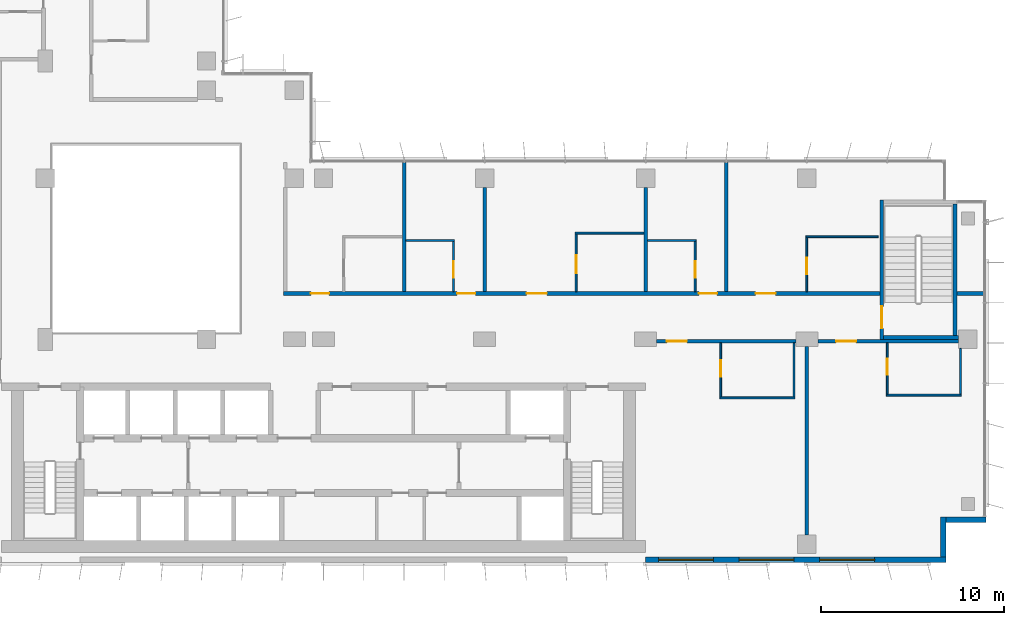
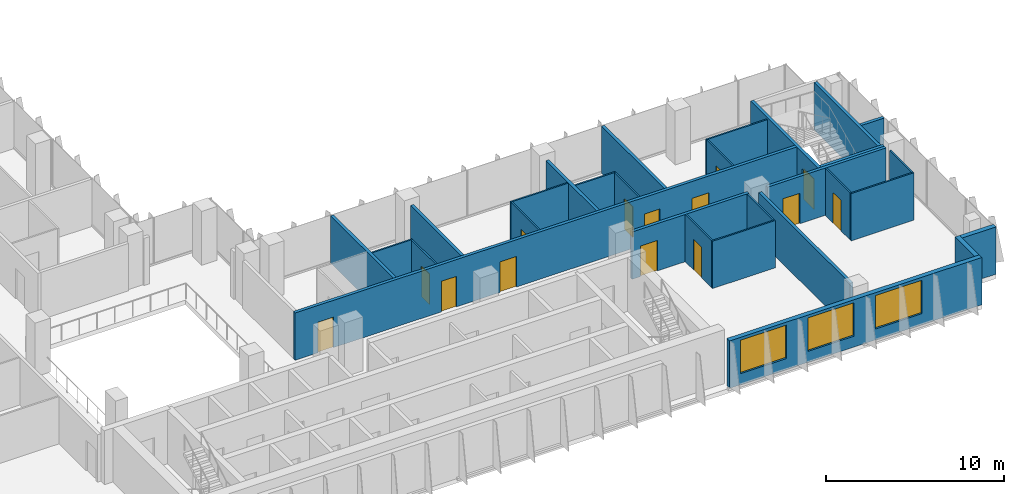
# One storey, part 14 of 20: 29 walls, 14 doors, 3 windows, 17 openings.
"""IFC4 building model written with IfcOpenShell, lengths in metres."""

from ifc_helpers import new_model, si_unit, direction, frame, frame_2d, origin, place, context, subcontext, project, spatial, rectangle, extrude, material, layer, layer_set, type_object, element, fill, save


model = new_model("IFC4")

# Units and contexts
model_context = context("Model", 3, precision=1e-05, world=origin(), true_north=direction((0.0, 1.0)))
body_context = subcontext(model_context, "Body", "Model", "MODEL_VIEW")
ifc_project = project(units=[si_unit("LENGTHUNIT", "METRE"), si_unit("AREAUNIT", "SQUARE_METRE"), si_unit("VOLUMEUNIT", "CUBIC_METRE"), si_unit("PLANEANGLEUNIT", "RADIAN"), si_unit("MASSUNIT", "GRAM", prefix="KILO")], contexts=[model_context])

# Site, building, storey
site_placement = place(None, origin())
site = spatial("IfcSite", under=ifc_project, at=site_placement, CompositionType="ELEMENT")
building_placement = place(site_placement, origin())
building = spatial("IfcBuilding", under=site, at=building_placement, Name="Kemantara Hotel Tower", CompositionType="ELEMENT")
storey_placement = place(building_placement, frame((0.0, 0.0, 190.10009765625)))
storey = spatial("IfcBuildingStorey", under=building, at=storey_placement, Name="L47", CompositionType="ELEMENT", Elevation=190.10009765625)

# Wall, openings, windows
ifc_material_1 = material(Name="Bronze anodised aluminium cladding on insulated steel stud wall", Category="steel")
ifc_layer_1 = layer(ifc_material_1, 0.300048828125)
ifc_layer_set_1 = layer_set([ifc_layer_1], Name="Bronze anodised aluminium cladding on insulated steel stud wall")
wall_type_1 = type_object("IfcWallType", Name="BRONZE METAL-CLAD EXTERNAL WALL 300", PredefinedType="STANDARD", material=ifc_layer_set_1)
wall_1_placement = place(storey_placement, frame((45.0, 0.14990234375, 0.0), z_axis=(0.0, 0.0, 1.0), x_axis=(1.0, 0.0, 0.0)))
wall_1 = element("IfcWall", 1, at=wall_1_placement, inside=storey, type_object=wall_type_1, Name="EXTERNAL WALL L47 T3-R08-3", PredefinedType="STANDARD", context=body_context, shape_type="SweptSolid", body=[
    extrude(rectangle(XDim=16.39990234375, YDim=0.300048828125, at=frame_2d((8.199951171875, 0.0))), origin(), (0.0, 0.0, 1.0), 3.25),
])
opening_1_placement = place(wall_1_placement, frame((0.699951171875, 0.0, 0.75)))
opening_1 = element("IfcOpeningElement", 2, at=opening_1_placement, cuts=wall_1, Name="Opening W1", PredefinedType="OPENING", context=body_context, shape_type="SweptSolid", body=[
    extrude(rectangle(XDim=3.0, YDim=2.300048828125, at=frame_2d((1.5, 1.14990234375))), frame((0.0, 0.159912109375, 0.0), z_axis=(0.0, -1.0, 0.0), x_axis=(1.0, 0.0, 0.0)), (0.0, 0.0, 1.0), 0.320068359375),
])
opening_2_placement = place(wall_1_placement, frame((5.10009765625, 0.0, 0.75)))
opening_2 = element("IfcOpeningElement", 3, at=opening_2_placement, cuts=wall_1, Name="Opening W1", PredefinedType="OPENING", context=body_context, shape_type="SweptSolid", body=[
    extrude(rectangle(XDim=3.0, YDim=2.300048828125, at=frame_2d((1.5, 1.14990234375))), frame((0.0, 0.159912109375, 0.0), z_axis=(0.0, -1.0, 0.0), x_axis=(1.0, 0.0, 0.0)), (0.0, 0.0, 1.0), 0.320068359375),
])
opening_3_placement = place(wall_1_placement, frame((9.5, 0.0, 0.75)))
opening_3 = element("IfcOpeningElement", 4, at=opening_3_placement, cuts=wall_1, Name="Opening W1", PredefinedType="OPENING", context=body_context, shape_type="SweptSolid", body=[
    extrude(rectangle(XDim=3.0, YDim=2.300048828125, at=frame_2d((1.5, 1.14990234375))), frame((0.0, 0.159912109375, 0.0), z_axis=(0.0, -1.0, 0.0), x_axis=(1.0, 0.0, 0.0)), (0.0, 0.0, 1.0), 0.320068359375),
])
ifc_material_2 = material(Name="Low-E tinted double insulated glass in bronze anodised aluminium frame", Category="aluminium")
window_type = type_object("IfcWindowType", Name="CHICAGO WINDOW, TRIPLE PANEL 3000x2300", PartitioningType="TRIPLE_PANEL_VERTICAL", PredefinedType="WINDOW", material=ifc_material_2)
window_1_placement = place(opening_1_placement, origin())
window_1 = element("IfcWindow", 5, at=window_1_placement, inside=storey, type_object=window_type, Name="CHICAGO WINDOW L47 T3-R08-450", OverallHeight=2.300048828125, OverallWidth=3.0, PartitioningType="SINGLE_PANEL", PredefinedType="WINDOW", context=body_context, shape_type="SweptSolid", body=[
    extrude(rectangle(XDim=3.0, YDim=2.300048828125, at=frame_2d((1.5, 1.14990234375))), frame((0.0, 0.030029296875, 0.0), z_axis=(0.0, -1.0, 0.0), x_axis=(1.0, 0.0, 0.0)), (0.0, 0.0, 1.0), 0.06005859375),
])
fill(opening_1, window_1)
window_2_placement = place(opening_2_placement, origin())
window_2 = element("IfcWindow", 6, at=window_2_placement, inside=storey, type_object=window_type, Name="CHICAGO WINDOW L47 T3-R08-494", OverallHeight=2.300048828125, OverallWidth=3.0, PartitioningType="SINGLE_PANEL", PredefinedType="WINDOW", context=body_context, shape_type="SweptSolid", body=[
    extrude(rectangle(XDim=3.0, YDim=2.300048828125, at=frame_2d((1.5, 1.14990234375))), frame((0.0, 0.030029296875, 0.0), z_axis=(0.0, -1.0, 0.0), x_axis=(1.0, 0.0, 0.0)), (0.0, 0.0, 1.0), 0.06005859375),
])
fill(opening_2, window_2)
window_3_placement = place(opening_3_placement, origin())
window_3 = element("IfcWindow", 7, at=window_3_placement, inside=storey, type_object=window_type, Name="CHICAGO WINDOW L47 T3-R08-538", OverallHeight=2.300048828125, OverallWidth=3.0, PartitioningType="SINGLE_PANEL", PredefinedType="WINDOW", context=body_context, shape_type="SweptSolid", body=[
    extrude(rectangle(XDim=3.0, YDim=2.300048828125, at=frame_2d((1.5, 1.14990234375))), frame((0.0, 0.030029296875, 0.0), z_axis=(0.0, -1.0, 0.0), x_axis=(1.0, 0.0, 0.0)), (0.0, 0.0, 1.0), 0.06005859375),
])
fill(opening_3, window_3)

# Walls
wall_2_placement = place(storey_placement, frame((61.25, 0.300048828125, 0.0), z_axis=(0.0, 0.0, 1.0), x_axis=(0.0, 1.0, 0.0)))
element("IfcWall", 8, at=wall_2_placement, inside=storey, type_object=wall_type_1, Name="EXTERNAL WALL L47 T3-R09", PredefinedType="STANDARD", context=body_context, shape_type="SweptSolid", body=[
    extrude(rectangle(XDim=2.199951171875, YDim=0.300048828125, at=frame_2d((1.10009765625, 0.0))), origin(), (0.0, 0.0, 1.0), 3.25),
])
wall_3_placement = place(storey_placement, frame((61.39990234375, 2.35009765625, 0.0), z_axis=(0.0, 0.0, 1.0), x_axis=(1.0, 0.0, 0.0)))
element("IfcWall", 9, at=wall_3_placement, inside=storey, type_object=wall_type_1, Name="EXTERNAL WALL L47 T3-R10", PredefinedType="STANDARD", context=body_context, shape_type="SweptSolid", body=[
    extrude(rectangle(XDim=2.2001953125, YDim=0.300048828125, at=frame_2d((1.10009765625, 0.0))), origin(), (0.0, 0.0, 1.0), 3.25),
])

# Wall, opening, door
ifc_material_3 = material(Name="Gypsum board partition, steel studs and mineral wool, 200 mm", Category="steel")
ifc_layer_2 = layer(ifc_material_3, 0.199951171875)
ifc_layer_set_2 = layer_set([ifc_layer_2], Name="Gypsum board partition, steel studs and mineral wool, 200 mm")
wall_type_2 = type_object("IfcWallType", Name="CORRIDOR WALL 200", PredefinedType="PARTITIONING", material=ifc_layer_set_2)
wall_4_placement = place(storey_placement, frame((53.199951171875, 12.10009765625, 0.0), z_axis=(0.0, 0.0, 1.0), x_axis=(-1.0, 0.0, 0.0)))
wall_4 = element("IfcWall", 10, at=wall_4_placement, inside=storey, type_object=wall_type_2, Name="CORRIDOR WALL 200 001", PredefinedType="PARTITIONING", context=body_context, shape_type="SweptSolid", body=[
    extrude(rectangle(XDim=7.599853515625, YDim=0.199951171875, at=frame_2d((3.7998046875, 0.0))), origin(), (0.0, 0.0, 1.0), 3.25),
])
opening_4_placement = place(wall_4_placement, frame((5.949951171875, 0.0, 0.0)))
opening_4 = element("IfcOpeningElement", 11, at=opening_4_placement, cuts=wall_4, Name="Opening F22-001", PredefinedType="OPENING", context=body_context, shape_type="SweptSolid", body=[
    extrude(rectangle(XDim=1.10009765625, YDim=2.10009765625, at=frame_2d((0.550048828125, 1.050048828125))), frame((0.0, 0.10986328125, 0.0), z_axis=(0.0, -1.0, 0.0), x_axis=(1.0, 0.0, 0.0)), (0.0, 0.0, 1.0), 0.219970703125),
])
ifc_material_4 = material(Name="Hardwood veneer door leaf with steel frame", Category="steel")
door_type_1 = type_object("IfcDoorType", Name="SUITE ENTRANCE DOOR 1100 X 2100 FD30S", OperationType="NOTDEFINED", PredefinedType="DOOR", material=ifc_material_4)
door_1_placement = place(opening_4_placement, origin())
door_1 = element("IfcDoor", 12, at=door_1_placement, inside=storey, type_object=door_type_1, Name="SUITE ENTRANCE DOOR F22-001", OperationType="SINGLE_SWING_RIGHT", OverallHeight=2.10009765625, OverallWidth=1.10009765625, PredefinedType="DOOR", context=body_context, shape_type="SweptSolid", body=[
    extrude(rectangle(XDim=1.10009765625, YDim=2.10009765625, at=frame_2d((0.550048828125, 1.050048828125))), frame((0.0, 0.02490234375, 0.0), z_axis=(0.0, -1.0, 0.0), x_axis=(1.0, 0.0, 0.0)), (0.0, 0.0, 1.0), 0.050048828125),
])
fill(opening_4, door_1)

wall_5_placement = place(storey_placement, frame((62.099853515625, 12.10009765625, 0.0), z_axis=(0.0, 0.0, 1.0), x_axis=(-1.0, 0.0, 0.0)))
wall_5 = element("IfcWall", 13, at=wall_5_placement, inside=storey, type_object=wall_type_2, Name="CORRIDOR WALL 200 002", PredefinedType="PARTITIONING", context=body_context, shape_type="SweptSolid", body=[
    extrude(rectangle(XDim=7.69970703125, YDim=0.199951171875, at=frame_2d((3.849853515625, 0.0))), origin(), (0.0, 0.0, 1.0), 3.25),
])
opening_5_placement = place(wall_5_placement, frame((5.599853515625, 0.0, 0.0)))
opening_5 = element("IfcOpeningElement", 14, at=opening_5_placement, cuts=wall_5, Name="Opening F22-003", PredefinedType="OPENING", context=body_context, shape_type="SweptSolid", body=[
    extrude(rectangle(XDim=1.10009765625, YDim=2.10009765625, at=frame_2d((0.550048828125, 1.050048828125))), frame((0.0, 0.10986328125, 0.0), z_axis=(0.0, -1.0, 0.0), x_axis=(1.0, 0.0, 0.0)), (0.0, 0.0, 1.0), 0.219970703125),
])
door_2_placement = place(opening_5_placement, origin())
door_2 = element("IfcDoor", 15, at=door_2_placement, inside=storey, type_object=door_type_1, Name="SUITE ENTRANCE DOOR F22-003", OperationType="SINGLE_SWING_RIGHT", OverallHeight=2.10009765625, OverallWidth=1.10009765625, PredefinedType="DOOR", context=body_context, shape_type="SweptSolid", body=[
    extrude(rectangle(XDim=1.10009765625, YDim=2.10009765625, at=frame_2d((0.550048828125, 1.050048828125))), frame((0.0, 0.02490234375, 0.0), z_axis=(0.0, -1.0, 0.0), x_axis=(1.0, 0.0, 0.0)), (0.0, 0.0, 1.0), 0.050048828125),
])
fill(opening_5, door_2)

# Wall, openings, doors
wall_6_placement = place(storey_placement, frame((25.199951171875, 14.699951171875, 0.0), z_axis=(0.0, 0.0, 1.0), x_axis=(1.0, 0.0, 0.0)))
wall_6 = element("IfcWall", 16, at=wall_6_placement, inside=storey, type_object=wall_type_2, Name="CORRIDOR WALL 200 004", PredefinedType="PARTITIONING", context=body_context, shape_type="SweptSolid", body=[
    extrude(rectangle(XDim=32.60009765625, YDim=0.199951171875, at=frame_2d((16.300048828125, 0.0))), origin(), (0.0, 0.0, 1.0), 3.25),
])
opening_6_placement = place(wall_6_placement, frame((1.5, 0.0, 0.0)))
opening_6 = element("IfcOpeningElement", 17, at=opening_6_placement, cuts=wall_6, Name="Opening F22-005", PredefinedType="OPENING", context=body_context, shape_type="SweptSolid", body=[
    extrude(rectangle(XDim=1.0, YDim=2.10009765625, at=frame_2d((0.5, 1.050048828125))), frame((0.0, 0.10986328125, 0.0), z_axis=(0.0, -1.0, 0.0), x_axis=(1.0, 0.0, 0.0)), (0.0, 0.0, 1.0), 0.219970703125),
])
opening_7_placement = place(wall_6_placement, frame((9.5, 0.0, 0.0)))
opening_7 = element("IfcOpeningElement", 18, at=opening_7_placement, cuts=wall_6, Name="Opening F22-007", PredefinedType="OPENING", context=body_context, shape_type="SweptSolid", body=[
    extrude(rectangle(XDim=1.0, YDim=2.10009765625, at=frame_2d((0.5, 1.050048828125))), frame((0.0, 0.10986328125, 0.0), z_axis=(0.0, -1.0, 0.0), x_axis=(1.0, 0.0, 0.0)), (0.0, 0.0, 1.0), 0.219970703125),
])
opening_8_placement = place(wall_6_placement, frame((13.300048828125, 0.0, 0.0)))
opening_8 = element("IfcOpeningElement", 19, at=opening_8_placement, cuts=wall_6, Name="Opening F22-009", PredefinedType="OPENING", context=body_context, shape_type="SweptSolid", body=[
    extrude(rectangle(XDim=1.10009765625, YDim=2.10009765625, at=frame_2d((0.550048828125, 1.050048828125))), frame((0.0, 0.10986328125, 0.0), z_axis=(0.0, -1.0, 0.0), x_axis=(1.0, 0.0, 0.0)), (0.0, 0.0, 1.0), 0.219970703125),
])
opening_9_placement = place(wall_6_placement, frame((22.699951171875, 0.0, 0.0)))
opening_9 = element("IfcOpeningElement", 20, at=opening_9_placement, cuts=wall_6, Name="Opening F22-011", PredefinedType="OPENING", context=body_context, shape_type="SweptSolid", body=[
    extrude(rectangle(XDim=1.0, YDim=2.10009765625, at=frame_2d((0.5, 1.050048828125))), frame((0.0, 0.10986328125, 0.0), z_axis=(0.0, -1.0, 0.0), x_axis=(1.0, 0.0, 0.0)), (0.0, 0.0, 1.0), 0.219970703125),
])
opening_10_placement = place(wall_6_placement, frame((25.800048828125, 0.0, 0.0)))
opening_10 = element("IfcOpeningElement", 21, at=opening_10_placement, cuts=wall_6, Name="Opening F22-013", PredefinedType="OPENING", context=body_context, shape_type="SweptSolid", body=[
    extrude(rectangle(XDim=1.10009765625, YDim=2.10009765625, at=frame_2d((0.550048828125, 1.050048828125))), frame((0.0, 0.10986328125, 0.0), z_axis=(0.0, -1.0, 0.0), x_axis=(1.0, 0.0, 0.0)), (0.0, 0.0, 1.0), 0.219970703125),
])
door_type_2 = type_object("IfcDoorType", Name="GUEST ROOM DOOR 1000 X 2100 FD30S", OperationType="NOTDEFINED", PredefinedType="DOOR", material=ifc_material_4)
door_3_placement = place(opening_6_placement, origin())
door_3 = element("IfcDoor", 22, at=door_3_placement, inside=storey, type_object=door_type_2, Name="GUEST ROOM DOOR F22-005", OperationType="SINGLE_SWING_LEFT", OverallHeight=2.10009765625, OverallWidth=1.0, PredefinedType="DOOR", context=body_context, shape_type="SweptSolid", body=[
    extrude(rectangle(XDim=1.0, YDim=2.10009765625, at=frame_2d((0.5, 1.050048828125))), frame((0.0, 0.02490234375, 0.0), z_axis=(0.0, -1.0, 0.0), x_axis=(1.0, 0.0, 0.0)), (0.0, 0.0, 1.0), 0.050048828125),
])
fill(opening_6, door_3)
door_4_placement = place(opening_7_placement, origin())
door_4 = element("IfcDoor", 23, at=door_4_placement, inside=storey, type_object=door_type_2, Name="GUEST ROOM DOOR F22-007", OperationType="SINGLE_SWING_RIGHT", OverallHeight=2.10009765625, OverallWidth=1.0, PredefinedType="DOOR", context=body_context, shape_type="SweptSolid", body=[
    extrude(rectangle(XDim=1.0, YDim=2.10009765625, at=frame_2d((0.5, 1.050048828125))), frame((0.0, 0.02490234375, 0.0), z_axis=(0.0, -1.0, 0.0), x_axis=(1.0, 0.0, 0.0)), (0.0, 0.0, 1.0), 0.050048828125),
])
fill(opening_7, door_4)
door_5_placement = place(opening_9_placement, origin())
door_5 = element("IfcDoor", 24, at=door_5_placement, inside=storey, type_object=door_type_2, Name="GUEST ROOM DOOR F22-011", OperationType="SINGLE_SWING_RIGHT", OverallHeight=2.10009765625, OverallWidth=1.0, PredefinedType="DOOR", context=body_context, shape_type="SweptSolid", body=[
    extrude(rectangle(XDim=1.0, YDim=2.10009765625, at=frame_2d((0.5, 1.050048828125))), frame((0.0, 0.02490234375, 0.0), z_axis=(0.0, -1.0, 0.0), x_axis=(1.0, 0.0, 0.0)), (0.0, 0.0, 1.0), 0.050048828125),
])
fill(opening_9, door_5)
door_type_3 = type_object("IfcDoorType", Name="GUEST ROOM DOOR 1100 X 2100 FD30S", OperationType="NOTDEFINED", PredefinedType="DOOR", material=ifc_material_4)
door_6_placement = place(opening_8_placement, origin())
door_6 = element("IfcDoor", 25, at=door_6_placement, inside=storey, type_object=door_type_3, Name="GUEST ROOM DOOR F22-009", OperationType="SINGLE_SWING_LEFT", OverallHeight=2.10009765625, OverallWidth=1.10009765625, PredefinedType="DOOR", context=body_context, shape_type="SweptSolid", body=[
    extrude(rectangle(XDim=1.10009765625, YDim=2.10009765625, at=frame_2d((0.550048828125, 1.050048828125))), frame((0.0, 0.02490234375, 0.0), z_axis=(0.0, -1.0, 0.0), x_axis=(1.0, 0.0, 0.0)), (0.0, 0.0, 1.0), 0.050048828125),
])
fill(opening_8, door_6)
door_7_placement = place(opening_10_placement, origin())
door_7 = element("IfcDoor", 26, at=door_7_placement, inside=storey, type_object=door_type_1, Name="SUITE ENTRANCE DOOR F22-013", OperationType="SINGLE_SWING_LEFT", OverallHeight=2.10009765625, OverallWidth=1.10009765625, PredefinedType="DOOR", context=body_context, shape_type="SweptSolid", body=[
    extrude(rectangle(XDim=1.10009765625, YDim=2.10009765625, at=frame_2d((0.550048828125, 1.050048828125))), frame((0.0, 0.02490234375, 0.0), z_axis=(0.0, -1.0, 0.0), x_axis=(1.0, 0.0, 0.0)), (0.0, 0.0, 1.0), 0.050048828125),
])
fill(opening_10, door_7)

# Wall
wall_7_placement = place(storey_placement, frame((62.0, 14.699951171875, 0.0), z_axis=(0.0, 0.0, 1.0), x_axis=(1.0, 0.0, 0.0)))
element("IfcWall", 27, at=wall_7_placement, inside=storey, type_object=wall_type_2, Name="CORRIDOR WALL 200 005", PredefinedType="PARTITIONING", context=body_context, shape_type="SweptSolid", body=[
    extrude(rectangle(XDim=1.47998046875, YDim=0.199951171875, at=frame_2d((0.739990234375, 0.0))), origin(), (0.0, 0.0, 1.0), 3.25),
])

# Wall, opening, door
ifc_material_5 = material(Name="Concrete fc 40 MPa", Category="concrete")
ifc_layer_3 = layer(ifc_material_5, 0.199951171875)
ifc_layer_set_3 = layer_set([ifc_layer_3], Name="Concrete fc 40 MPa")
wall_type_3 = type_object("IfcWallType", Name="Concrete stair wall 200 mm", PredefinedType="SHEAR", material=ifc_layer_set_3)
wall_8_placement = place(storey_placement, frame((57.89990234375, 12.199951171875, 0.0), z_axis=(0.0, 0.0, 1.0), x_axis=(0.0, 1.0, 0.0)))
wall_8 = element("IfcWall", 28, at=wall_8_placement, inside=storey, type_object=wall_type_3, Name="Stair ST3 enclosure wall with door", PredefinedType="SHEAR", context=body_context, shape_type="SweptSolid", body=[
    extrude(rectangle(XDim=7.60009765625, YDim=0.199951171875, at=frame_2d((3.800048828125, 0.0))), origin(), (0.0, 0.0, 1.0), 3.25),
])
opening_11_placement = place(wall_8_placement, frame((0.60009765625, 0.0, 0.0)))
opening_11 = element("IfcOpeningElement", 29, at=opening_11_placement, cuts=wall_8, Name="Opening ST3-C", PredefinedType="OPENING", context=body_context, shape_type="SweptSolid", body=[
    extrude(rectangle(XDim=1.199951171875, YDim=2.10009765625, at=frame_2d((0.60009765625, 1.050048828125))), frame((0.0, 0.10986328125, 0.0), z_axis=(0.0, -1.0, 0.0), x_axis=(1.0, 0.0, 0.0)), (0.0, 0.0, 1.0), 0.219970703125),
])
ifc_material_6 = material(Name="Steel fire door", Category="steel")
door_type_4 = type_object("IfcDoorType", Name="Fire door FD90 1200 x 2100", OperationType="NOTDEFINED", PredefinedType="DOOR", material=ifc_material_6)
door_8_placement = place(opening_11_placement, frame((1.199951171875, 0.0, 0.0), z_axis=(0.0, 0.0, 1.0), x_axis=(-1.0, 0.0, 0.0)))
door_8 = element("IfcDoor", 30, at=door_8_placement, inside=storey, type_object=door_type_4, Name="Stair ST3 door", OperationType="SINGLE_SWING_RIGHT", OverallHeight=2.10009765625, OverallWidth=1.199951171875, PredefinedType="DOOR", context=body_context, shape_type="SweptSolid", body=[
    extrude(rectangle(XDim=1.199951171875, YDim=2.10009765625, at=frame_2d((0.60009765625, 1.050048828125))), frame((0.0, 0.02490234375, 0.0), z_axis=(0.0, -1.0, 0.0), x_axis=(1.0, 0.0, 0.0)), (0.0, 0.0, 1.0), 0.050048828125),
])
fill(opening_11, door_8)

# Walls
wall_9_placement = place(storey_placement, frame((58.0, 12.300048828125, 0.0), z_axis=(0.0, 0.0, 1.0), x_axis=(1.0, 0.0, 0.0)))
element("IfcWall", 31, at=wall_9_placement, inside=storey, type_object=wall_type_3, Name="Stair ST3 enclosure wall S", PredefinedType="SHEAR", context=body_context, shape_type="SweptSolid", body=[
    extrude(rectangle(XDim=4.10009765625, YDim=0.199951171875, at=frame_2d((2.050048828125, 0.0))), origin(), (0.0, 0.0, 1.0), 3.25),
])
wall_10_placement = place(storey_placement, frame((61.89990234375, 12.39990234375, 0.0), z_axis=(0.0, 0.0, 1.0), x_axis=(0.0, 1.0, 0.0)))
element("IfcWall", 32, at=wall_10_placement, inside=storey, type_object=wall_type_3, Name="Stair ST3 enclosure wall E", PredefinedType="SHEAR", context=body_context, shape_type="SweptSolid", body=[
    extrude(rectangle(XDim=7.2001953125, YDim=0.199951171875, at=frame_2d((3.60009765625, 0.0))), origin(), (0.0, 0.0, 1.0), 3.25),
])
ifc_layer_4 = layer(ifc_material_3, 0.199951171875)
ifc_layer_set_4 = layer_set([ifc_layer_4], Name="Gypsum board partition, steel studs and mineral wool, 200 mm")
wall_type_4 = type_object("IfcWallType", Name="GUEST ROOM PARTY WALL 200", PredefinedType="PARTITIONING", material=ifc_layer_set_4)
wall_11_placement = place(storey_placement, frame((53.800048828125, 1.5, 0.0), z_axis=(0.0, 0.0, 1.0), x_axis=(0.0, 1.0, 0.0)))
element("IfcWall", 33, at=wall_11_placement, inside=storey, type_object=wall_type_4, Name="GUEST ROOM PARTY WALL 200 003", PredefinedType="PARTITIONING", context=body_context, shape_type="SweptSolid", body=[
    extrude(rectangle(XDim=10.2998046875, YDim=0.199951171875, at=frame_2d((5.14990234375, 0.0))), origin(), (0.0, 0.0, 1.0), 3.25),
])
wall_12_placement = place(storey_placement, frame((31.800048828125, 14.800048828125, 0.0), z_axis=(0.0, 0.0, 1.0), x_axis=(0.0, 1.0, 0.0)))
element("IfcWall", 34, at=wall_12_placement, inside=storey, type_object=wall_type_4, Name="GUEST ROOM PARTY WALL 200 008", PredefinedType="PARTITIONING", context=body_context, shape_type="SweptSolid", body=[
    extrude(rectangle(XDim=7.070068359375, YDim=0.199951171875, at=frame_2d((3.53515625, 0.0))), origin(), (0.0, 0.0, 1.0), 3.25),
])
for number, where, z_axis, x_axis, name in (
    (35, (36.199951171875, 14.800048828125, 0.0), (0.0, 0.0, 1.0), (0.0, 1.0, 0.0), "GUEST ROOM PARTY WALL 200 009"),
    (36, (45.0, 14.800048828125, 0.0), (0.0, 0.0, 1.0), (0.0, 1.0, 0.0), "GUEST ROOM PARTY WALL 200 010"),
):
    element("IfcWall", number, at=place(storey_placement, frame(where, z_axis=z_axis, x_axis=x_axis)), inside=storey, type_object=wall_type_4, Name=name, PredefinedType="PARTITIONING", context=body_context, shape_type="SweptSolid", body=[
        extrude(rectangle(XDim=5.699951171875, YDim=0.199951171875, at=frame_2d((2.85009765625, 0.0))), origin(), (0.0, 0.0, 1.0), 3.25),
    ])
wall_13_placement = place(storey_placement, frame((49.39990234375, 14.800048828125, 0.0), z_axis=(0.0, 0.0, 1.0), x_axis=(0.0, 1.0, 0.0)))
element("IfcWall", 37, at=wall_13_placement, inside=storey, type_object=wall_type_4, Name="GUEST ROOM PARTY WALL 200 011", PredefinedType="PARTITIONING", context=body_context, shape_type="SweptSolid", body=[
    extrude(rectangle(XDim=7.070068359375, YDim=0.199951171875, at=frame_2d((3.53515625, 0.0))), origin(), (0.0, 0.0, 1.0), 3.25),
])
ifc_material_7 = material(Name="Gypsum board partition on steel studs, 100 mm", Category="steel")
ifc_layer_5 = layer(ifc_material_7, 0.10009765625)
ifc_layer_set_5 = layer_set([ifc_layer_5], Name="Gypsum board partition on steel studs, 100 mm")
wall_type_5 = type_object("IfcWallType", Name="ROOM PARTITION 100", PredefinedType="PARTITIONING", material=ifc_layer_set_5)
wall_14_placement = place(storey_placement, frame((49.050048828125, 9.0, 0.0), z_axis=(0.0, 0.0, 1.0), x_axis=(1.0, 0.0, 0.0)))
element("IfcWall", 38, at=wall_14_placement, inside=storey, type_object=wall_type_5, Name="ROOM PARTITION 100 029", PredefinedType="PARTITIONING", context=body_context, shape_type="SweptSolid", body=[
    extrude(rectangle(XDim=4.099853515625, YDim=0.10009765625, at=frame_2d((2.0498046875, 0.0))), origin(), (0.0, 0.0, 1.0), 3.25),
])

# Wall, opening, door
wall_15_placement = place(storey_placement, frame((49.10009765625, 12.0, 0.0), z_axis=(0.0, 0.0, 1.0), x_axis=(0.0, -1.0, 0.0)))
wall_15 = element("IfcWall", 39, at=wall_15_placement, inside=storey, type_object=wall_type_5, Name="ROOM PARTITION 100 030", PredefinedType="PARTITIONING", context=body_context, shape_type="SweptSolid", body=[
    extrude(rectangle(XDim=2.949951171875, YDim=0.10009765625, at=frame_2d((1.47509765625, 0.0))), origin(), (0.0, 0.0, 1.0), 3.25),
])
opening_12_placement = place(wall_15_placement, frame((0.949951171875, 0.0, 0.0)))
opening_12 = element("IfcOpeningElement", 40, at=opening_12_placement, cuts=wall_15, Name="Opening F22-002", PredefinedType="OPENING", context=body_context, shape_type="SweptSolid", body=[
    extrude(rectangle(XDim=0.89990234375, YDim=2.10009765625, at=frame_2d((0.449951171875, 1.050048828125))), frame((0.0, 0.06005859375, 0.0), z_axis=(0.0, -1.0, 0.0), x_axis=(1.0, 0.0, 0.0)), (0.0, 0.0, 1.0), 0.1201171875),
])
door_type_5 = type_object("IfcDoorType", Name="BATHROOM DOOR 900 X 2100", OperationType="NOTDEFINED", PredefinedType="DOOR", material=ifc_material_4)
door_9_placement = place(opening_12_placement, origin())
door_9 = element("IfcDoor", 41, at=door_9_placement, inside=storey, type_object=door_type_5, Name="BATHROOM DOOR F22-002", OperationType="SINGLE_SWING_LEFT", OverallHeight=2.10009765625, OverallWidth=0.89990234375, PredefinedType="DOOR", context=body_context, shape_type="SweptSolid", body=[
    extrude(rectangle(XDim=0.89990234375, YDim=2.10009765625, at=frame_2d((0.449951171875, 1.050048828125))), frame((0.0, 0.02490234375, 0.0), z_axis=(0.0, -1.0, 0.0), x_axis=(1.0, 0.0, 0.0)), (0.0, 0.0, 1.0), 0.050048828125),
])
fill(opening_12, door_9)

# Walls
wall_16_placement = place(storey_placement, frame((53.10009765625, 9.050048828125, 0.0), z_axis=(0.0, 0.0, 1.0), x_axis=(0.0, 1.0, 0.0)))
element("IfcWall", 42, at=wall_16_placement, inside=storey, type_object=wall_type_5, Name="ROOM PARTITION 100 031", PredefinedType="PARTITIONING", context=body_context, shape_type="SweptSolid", body=[
    extrude(rectangle(XDim=2.949951171875, YDim=0.10009765625, at=frame_2d((1.47509765625, 0.0))), origin(), (0.0, 0.0, 1.0), 3.25),
])
wall_17_placement = place(storey_placement, frame((58.14990234375, 9.14990234375, 0.0), z_axis=(0.0, 0.0, 1.0), x_axis=(1.0, 0.0, 0.0)))
element("IfcWall", 43, at=wall_17_placement, inside=storey, type_object=wall_type_5, Name="ROOM PARTITION 100 032", PredefinedType="PARTITIONING", context=body_context, shape_type="SweptSolid", body=[
    extrude(rectangle(XDim=4.10009765625, YDim=0.10009765625, at=frame_2d((2.050048828125, 0.0))), origin(), (0.0, 0.0, 1.0), 3.25),
])

# Wall, opening, door
wall_18_placement = place(storey_placement, frame((58.199951171875, 12.0, 0.0), z_axis=(0.0, 0.0, 1.0), x_axis=(0.0, -1.0, 0.0)))
wall_18 = element("IfcWall", 44, at=wall_18_placement, inside=storey, type_object=wall_type_5, Name="ROOM PARTITION 100 033", PredefinedType="PARTITIONING", context=body_context, shape_type="SweptSolid", body=[
    extrude(rectangle(XDim=2.800048828125, YDim=0.10009765625, at=frame_2d((1.39990234375, 0.0))), origin(), (0.0, 0.0, 1.0), 3.25),
])
opening_13_placement = place(wall_18_placement, frame((0.85009765625, 0.0, 0.0)))
opening_13 = element("IfcOpeningElement", 45, at=opening_13_placement, cuts=wall_18, Name="Opening F22-004", PredefinedType="OPENING", context=body_context, shape_type="SweptSolid", body=[
    extrude(rectangle(XDim=0.89990234375, YDim=2.10009765625, at=frame_2d((0.449951171875, 1.050048828125))), frame((0.0, 0.06005859375, 0.0), z_axis=(0.0, -1.0, 0.0), x_axis=(1.0, 0.0, 0.0)), (0.0, 0.0, 1.0), 0.1201171875),
])
door_10_placement = place(opening_13_placement, origin())
door_10 = element("IfcDoor", 46, at=door_10_placement, inside=storey, type_object=door_type_5, Name="BATHROOM DOOR F22-004", OperationType="SINGLE_SWING_LEFT", OverallHeight=2.10009765625, OverallWidth=0.89990234375, PredefinedType="DOOR", context=body_context, shape_type="SweptSolid", body=[
    extrude(rectangle(XDim=0.89990234375, YDim=2.10009765625, at=frame_2d((0.449951171875, 1.050048828125))), frame((0.0, 0.02490234375, 0.0), z_axis=(0.0, -1.0, 0.0), x_axis=(1.0, 0.0, 0.0)), (0.0, 0.0, 1.0), 0.050048828125),
])
fill(opening_13, door_10)

# Walls
wall_19_placement = place(storey_placement, frame((62.199951171875, 9.199951171875, 0.0), z_axis=(0.0, 0.0, 1.0), x_axis=(0.0, 1.0, 0.0)))
element("IfcWall", 47, at=wall_19_placement, inside=storey, type_object=wall_type_5, Name="ROOM PARTITION 100 034", PredefinedType="PARTITIONING", context=body_context, shape_type="SweptSolid", body=[
    extrude(rectangle(XDim=2.5, YDim=0.10009765625, at=frame_2d((1.25, 0.0))), origin(), (0.0, 0.0, 1.0), 3.25),
])
wall_20_placement = place(storey_placement, frame((53.75, 17.800048828125, 0.0), z_axis=(0.0, 0.0, 1.0), x_axis=(1.0, 0.0, 0.0)))
element("IfcWall", 48, at=wall_20_placement, inside=storey, type_object=wall_type_5, Name="ROOM PARTITION 100 036", PredefinedType="PARTITIONING", context=body_context, shape_type="SweptSolid", body=[
    extrude(rectangle(XDim=3.949951171875, YDim=0.10009765625, at=frame_2d((1.97509765625, 0.0))), origin(), (0.0, 0.0, 1.0), 3.25),
])
wall_21_placement = place(storey_placement, frame((31.89990234375, 17.60009765625, 0.0), z_axis=(0.0, 0.0, 1.0), x_axis=(1.0, 0.0, 0.0)))
element("IfcWall", 49, at=wall_21_placement, inside=storey, type_object=wall_type_5, Name="ROOM PARTITION 100 038", PredefinedType="PARTITIONING", context=body_context, shape_type="SweptSolid", body=[
    extrude(rectangle(XDim=2.650146484375, YDim=0.10009765625, at=frame_2d((1.3251953125, 0.0))), origin(), (0.0, 0.0, 1.0), 3.25),
])
wall_22_placement = place(storey_placement, frame((45.10009765625, 17.60009765625, 0.0), z_axis=(0.0, 0.0, 1.0), x_axis=(1.0, 0.0, 0.0)))
element("IfcWall", 50, at=wall_22_placement, inside=storey, type_object=wall_type_5, Name="ROOM PARTITION 100 039", PredefinedType="PARTITIONING", context=body_context, shape_type="SweptSolid", body=[
    extrude(rectangle(XDim=2.64990234375, YDim=0.10009765625, at=frame_2d((1.324951171875, 0.0))), origin(), (0.0, 0.0, 1.0), 3.25),
])

# Wall, opening, door
wall_23_placement = place(storey_placement, frame((34.5, 14.800048828125, 0.0), z_axis=(0.0, 0.0, 1.0), x_axis=(0.0, 1.0, 0.0)))
wall_23 = element("IfcWall", 51, at=wall_23_placement, inside=storey, type_object=wall_type_5, Name="ROOM PARTITION 100 040", PredefinedType="PARTITIONING", context=body_context, shape_type="SweptSolid", body=[
    extrude(rectangle(XDim=2.75, YDim=0.10009765625, at=frame_2d((1.375, 0.0))), origin(), (0.0, 0.0, 1.0), 3.25),
])
opening_14_placement = place(wall_23_placement, frame((0.75, 0.0, 0.0)))
opening_14 = element("IfcOpeningElement", 52, at=opening_14_placement, cuts=wall_23, Name="Opening F22-008", PredefinedType="OPENING", context=body_context, shape_type="SweptSolid", body=[
    extrude(rectangle(XDim=0.89990234375, YDim=2.10009765625, at=frame_2d((0.449951171875, 1.050048828125))), frame((0.0, 0.06005859375, 0.0), z_axis=(0.0, -1.0, 0.0), x_axis=(1.0, 0.0, 0.0)), (0.0, 0.0, 1.0), 0.1201171875),
])
door_11_placement = place(opening_14_placement, origin())
door_11 = element("IfcDoor", 53, at=door_11_placement, inside=storey, type_object=door_type_5, Name="BATHROOM DOOR F22-008", OperationType="SINGLE_SWING_LEFT", OverallHeight=2.10009765625, OverallWidth=0.89990234375, PredefinedType="DOOR", context=body_context, shape_type="SweptSolid", body=[
    extrude(rectangle(XDim=0.89990234375, YDim=2.10009765625, at=frame_2d((0.449951171875, 1.050048828125))), frame((0.0, 0.02490234375, 0.0), z_axis=(0.0, -1.0, 0.0), x_axis=(1.0, 0.0, 0.0)), (0.0, 0.0, 1.0), 0.050048828125),
])
fill(opening_14, door_11)

# Wall
wall_24_placement = place(storey_placement, frame((41.14990234375, 18.0, 0.0), z_axis=(0.0, 0.0, 1.0), x_axis=(1.0, 0.0, 0.0)))
element("IfcWall", 54, at=wall_24_placement, inside=storey, type_object=wall_type_5, Name="ROOM PARTITION 100 041", PredefinedType="PARTITIONING", context=body_context, shape_type="SweptSolid", body=[
    extrude(rectangle(XDim=3.75, YDim=0.10009765625, at=frame_2d((1.875, 0.0))), origin(), (0.0, 0.0, 1.0), 3.25),
])

# Wall, opening, door
wall_25_placement = place(storey_placement, frame((41.199951171875, 17.949951171875, 0.0), z_axis=(0.0, 0.0, 1.0), x_axis=(0.0, -1.0, 0.0)))
wall_25 = element("IfcWall", 55, at=wall_25_placement, inside=storey, type_object=wall_type_5, Name="ROOM PARTITION 100 042", PredefinedType="PARTITIONING", context=body_context, shape_type="SweptSolid", body=[
    extrude(rectangle(XDim=3.14990234375, YDim=0.10009765625, at=frame_2d((1.574951171875, 0.0))), origin(), (0.0, 0.0, 1.0), 3.25),
])
opening_15_placement = place(wall_25_placement, frame((1.14990234375, 0.0, 0.0)))
opening_15 = element("IfcOpeningElement", 56, at=opening_15_placement, cuts=wall_25, Name="Opening F22-010", PredefinedType="OPENING", context=body_context, shape_type="SweptSolid", body=[
    extrude(rectangle(XDim=1.0, YDim=2.10009765625, at=frame_2d((0.5, 1.050048828125))), frame((0.0, 0.06005859375, 0.0), z_axis=(0.0, -1.0, 0.0), x_axis=(1.0, 0.0, 0.0)), (0.0, 0.0, 1.0), 0.1201171875),
])
door_type_6 = type_object("IfcDoorType", Name="BATHROOM DOOR 1000 X 2100", OperationType="NOTDEFINED", PredefinedType="DOOR", material=ifc_material_4)
door_12_placement = place(opening_15_placement, origin())
door_12 = element("IfcDoor", 57, at=door_12_placement, inside=storey, type_object=door_type_6, Name="BATHROOM DOOR F22-010", OperationType="SINGLE_SWING_RIGHT", OverallHeight=2.10009765625, OverallWidth=1.0, PredefinedType="DOOR", context=body_context, shape_type="SweptSolid", body=[
    extrude(rectangle(XDim=1.0, YDim=2.10009765625, at=frame_2d((0.5, 1.050048828125))), frame((0.0, 0.02490234375, 0.0), z_axis=(0.0, -1.0, 0.0), x_axis=(1.0, 0.0, 0.0)), (0.0, 0.0, 1.0), 0.050048828125),
])
fill(opening_15, door_12)

wall_26_placement = place(storey_placement, frame((47.699951171875, 14.800048828125, 0.0), z_axis=(0.0, 0.0, 1.0), x_axis=(0.0, 1.0, 0.0)))
wall_26 = element("IfcWall", 58, at=wall_26_placement, inside=storey, type_object=wall_type_5, Name="ROOM PARTITION 100 043", PredefinedType="PARTITIONING", context=body_context, shape_type="SweptSolid", body=[
    extrude(rectangle(XDim=2.75, YDim=0.10009765625, at=frame_2d((1.375, 0.0))), origin(), (0.0, 0.0, 1.0), 3.25),
])
opening_16_placement = place(wall_26_placement, frame((0.75, 0.0, 0.0)))
opening_16 = element("IfcOpeningElement", 59, at=opening_16_placement, cuts=wall_26, Name="Opening F22-012", PredefinedType="OPENING", context=body_context, shape_type="SweptSolid", body=[
    extrude(rectangle(XDim=0.89990234375, YDim=2.10009765625, at=frame_2d((0.449951171875, 1.050048828125))), frame((0.0, 0.06005859375, 0.0), z_axis=(0.0, -1.0, 0.0), x_axis=(1.0, 0.0, 0.0)), (0.0, 0.0, 1.0), 0.1201171875),
])
door_13_placement = place(opening_16_placement, origin())
door_13 = element("IfcDoor", 60, at=door_13_placement, inside=storey, type_object=door_type_5, Name="BATHROOM DOOR F22-012", OperationType="SINGLE_SWING_LEFT", OverallHeight=2.10009765625, OverallWidth=0.89990234375, PredefinedType="DOOR", context=body_context, shape_type="SweptSolid", body=[
    extrude(rectangle(XDim=0.89990234375, YDim=2.10009765625, at=frame_2d((0.449951171875, 1.050048828125))), frame((0.0, 0.02490234375, 0.0), z_axis=(0.0, -1.0, 0.0), x_axis=(1.0, 0.0, 0.0)), (0.0, 0.0, 1.0), 0.050048828125),
])
fill(opening_16, door_13)

wall_27_placement = place(storey_placement, frame((53.800048828125, 17.75, 0.0), z_axis=(0.0, 0.0, 1.0), x_axis=(0.0, -1.0, 0.0)))
wall_27 = element("IfcWall", 61, at=wall_27_placement, inside=storey, type_object=wall_type_5, Name="ROOM PARTITION 100 044", PredefinedType="PARTITIONING", context=body_context, shape_type="SweptSolid", body=[
    extrude(rectangle(XDim=2.949951171875, YDim=0.10009765625, at=frame_2d((1.47509765625, 0.0))), origin(), (0.0, 0.0, 1.0), 3.25),
])
opening_17_placement = place(wall_27_placement, frame((1.10009765625, 0.0, 0.0)))
opening_17 = element("IfcOpeningElement", 62, at=opening_17_placement, cuts=wall_27, Name="Opening F22-014", PredefinedType="OPENING", context=body_context, shape_type="SweptSolid", body=[
    extrude(rectangle(XDim=0.89990234375, YDim=2.10009765625, at=frame_2d((0.449951171875, 1.050048828125))), frame((0.0, 0.06005859375, 0.0), z_axis=(0.0, -1.0, 0.0), x_axis=(1.0, 0.0, 0.0)), (0.0, 0.0, 1.0), 0.1201171875),
])
door_14_placement = place(opening_17_placement, origin())
door_14 = element("IfcDoor", 63, at=door_14_placement, inside=storey, type_object=door_type_5, Name="BATHROOM DOOR F22-014", OperationType="SINGLE_SWING_RIGHT", OverallHeight=2.10009765625, OverallWidth=0.89990234375, PredefinedType="DOOR", context=body_context, shape_type="SweptSolid", body=[
    extrude(rectangle(XDim=0.89990234375, YDim=2.10009765625, at=frame_2d((0.449951171875, 1.050048828125))), frame((0.0, 0.02490234375, 0.0), z_axis=(0.0, -1.0, 0.0), x_axis=(1.0, 0.0, 0.0)), (0.0, 0.0, 1.0), 0.050048828125),
])
fill(opening_17, door_14)

save(model, "model.ifc")
